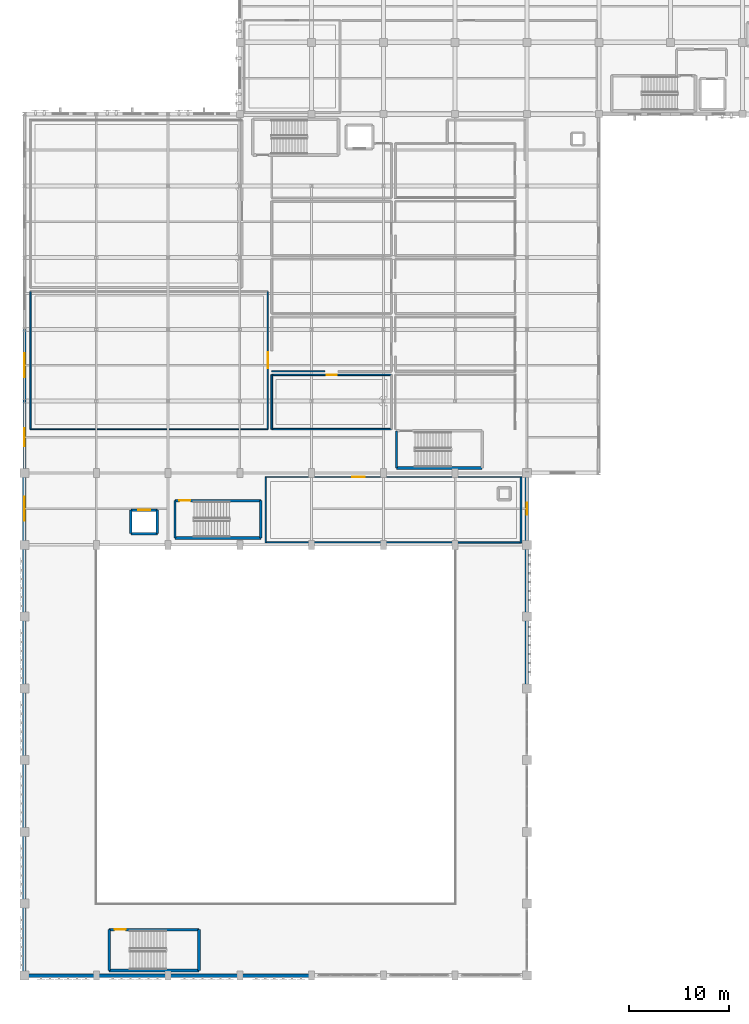
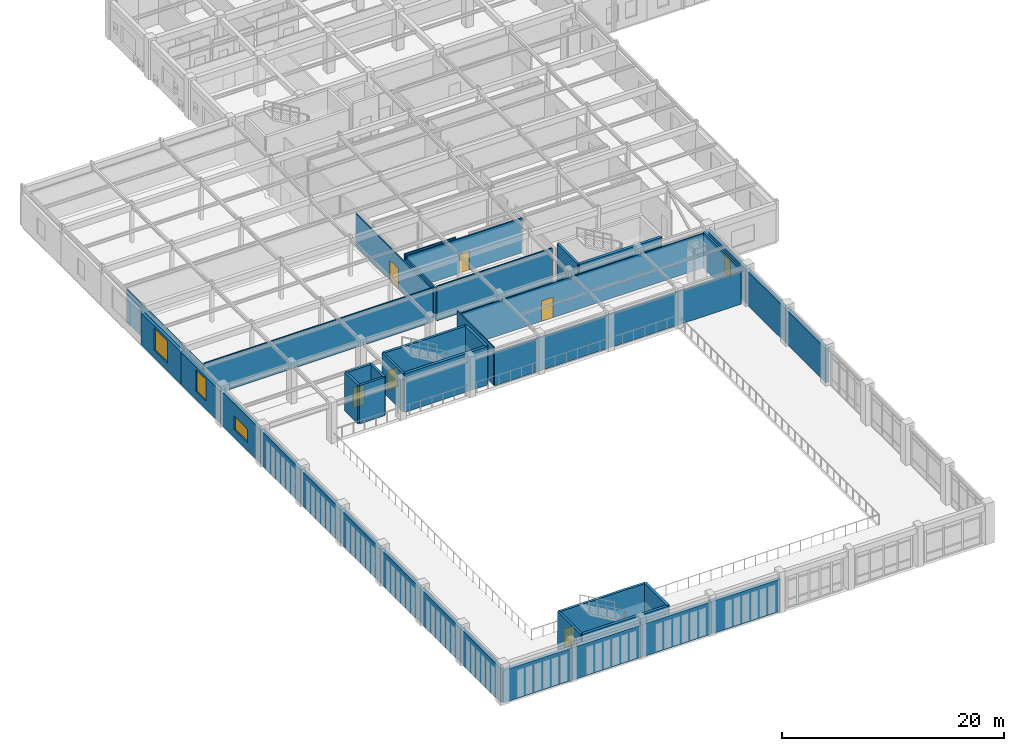
# One storey, part 73 of 106: 41 walls, 6 doors, 4 windows, 10 openings.
"""IFC4 building model written with IfcOpenShell, lengths in metres."""

from ifc_helpers import new_model, si_unit, direction, frame, frame_2d, origin, place, context, subcontext, project, spatial, rectangle, extrude, material, layer, layer_set, type_object, element, fill, save


model = new_model("IFC4")

# Units and contexts
model_context = context("Model", 3, precision=1e-05, world=origin(), true_north=direction((0.0, 1.0)))
body_context = subcontext(model_context, "Body", "Model", "MODEL_VIEW")
ifc_project = project(units=[si_unit("LENGTHUNIT", "METRE"), si_unit("AREAUNIT", "SQUARE_METRE"), si_unit("VOLUMEUNIT", "CUBIC_METRE"), si_unit("PLANEANGLEUNIT", "RADIAN"), si_unit("MASSUNIT", "GRAM", prefix="KILO")], contexts=[model_context])

# Site, building, storey
site_placement = place(None, origin())
site = spatial("IfcSite", under=ifc_project, at=site_placement, CompositionType="ELEMENT")
building_placement = place(site_placement, origin())
building = spatial("IfcBuilding", under=site, at=building_placement, Name="Carrowvane Square Congress Hotel", CompositionType="ELEMENT")
storey_placement = place(building_placement, frame((0.0, 0.0, 10.5)))
storey = spatial("IfcBuildingStorey", under=building, at=storey_placement, Name="L02", CompositionType="ELEMENT", Elevation=10.5)

# Walls
ifc_material_1 = material(Name="Portland limestone cladding", Category="masonry")
ifc_layer_1 = layer(ifc_material_1, 0.35009765625)
ifc_layer_set_1 = layer_set([ifc_layer_1], Name="Portland limestone cladding")
wall_type_1 = type_object("IfcWallType", Name="WL-EXT-LS350", PredefinedType="STANDARD", material=ifc_layer_set_1)
wall_1_placement = place(storey_placement, frame((11.60009765625, 5.39990234375, 0.0), z_axis=(0.0, 0.0, 1.0), x_axis=(0.0, 1.0, 0.0)))
element("IfcWall", 1, at=wall_1_placement, inside=storey, type_object=wall_type_1, Name="L02 exterior facade wall 260", PredefinedType="STANDARD", context=body_context, shape_type="SweptSolid", body=[
    extrude(rectangle(XDim=7.2001953125, YDim=0.35009765625, at=frame_2d((3.60009765625, 0.0))), origin(), (0.0, 0.0, 1.0), 3.7451171875),
])
for number, where, z_axis, x_axis, name in (
    (2, (11.60009765625, 12.60009765625, 0.0), (0.0, 0.0, 1.0), (0.0, 1.0, 0.0), "L02 exterior facade wall 261"),
    (3, (11.60009765625, 19.800048828125, 0.0), (0.0, 0.0, 1.0), (0.0, 1.0, 0.0), "L02 exterior facade wall 262"),
    (4, (11.60009765625, 27.0, 0.0), (0.0, 0.0, 1.0), (0.0, 1.0, 0.0), "L02 exterior facade wall 263"),
    (5, (11.60009765625, 34.199951171875, 0.0), (0.0, 0.0, 1.0), (0.0, 1.0, 0.0), "L02 exterior facade wall 264"),
):
    element("IfcWall", number, at=place(storey_placement, frame(where, z_axis=z_axis, x_axis=x_axis)), inside=storey, type_object=wall_type_1, Name=name, PredefinedType="STANDARD", context=body_context, shape_type="SweptSolid", body=[
        extrude(rectangle(XDim=7.199951171875, YDim=0.35009765625, at=frame_2d((3.60009765625, 0.0))), origin(), (0.0, 0.0, 1.0), 3.7451171875),
    ])
wall_2_placement = place(storey_placement, frame((11.60009765625, 41.39990234375, 0.0), z_axis=(0.0, 0.0, 1.0), x_axis=(0.0, 1.0, 0.0)))
element("IfcWall", 6, at=wall_2_placement, inside=storey, type_object=wall_type_1, Name="L02 exterior facade wall 265", PredefinedType="STANDARD", context=body_context, shape_type="SweptSolid", body=[
    extrude(rectangle(XDim=7.2001953125, YDim=0.35009765625, at=frame_2d((3.60009765625, 0.0))), origin(), (0.0, 0.0, 1.0), 3.7451171875),
])

# Wall, opening, window
wall_3_placement = place(storey_placement, frame((11.60009765625, 48.60009765625, 0.0), z_axis=(0.0, 0.0, 1.0), x_axis=(0.0, 1.0, 0.0)))
wall_3 = element("IfcWall", 7, at=wall_3_placement, inside=storey, type_object=wall_type_1, Name="L02 exterior facade wall 266", PredefinedType="STANDARD", context=body_context, shape_type="SweptSolid", body=[
    extrude(rectangle(XDim=7.199951171875, YDim=0.35009765625, at=frame_2d((3.60009765625, 0.0))), origin(), (0.0, 0.0, 1.0), 3.7451171875),
])
opening_1_placement = place(wall_3_placement, frame((2.39990234375, 0.0, 0.89990234375)))
opening_1 = element("IfcOpeningElement", 8, at=opening_1_placement, cuts=wall_3, Name="Opening W-17", PredefinedType="OPENING", context=body_context, shape_type="SweptSolid", body=[
    extrude(rectangle(XDim=2.39990234375, YDim=1.5, at=frame_2d((1.199951171875, 0.75))), frame((0.0, 0.18505859375, 0.0), z_axis=(0.0, -1.0, 0.0), x_axis=(1.0, 0.0, 0.0)), (0.0, 0.0, 1.0), 0.3701171875),
])
ifc_material_2 = material(Name="Double-glazed low-E glass", Category="glass")
window_type_1 = type_object("IfcWindowType", Name="WIN-17", PartitioningType="SINGLE_PANEL", PredefinedType="WINDOW", material=ifc_material_2)
window_1_placement = place(opening_1_placement, origin())
window_1 = element("IfcWindow", 9, at=window_1_placement, inside=storey, type_object=window_type_1, Name="L02 facade window 79", OverallHeight=1.5, OverallWidth=2.39990234375, PartitioningType="SINGLE_PANEL", PredefinedType="WINDOW", context=body_context, shape_type="SweptSolid", body=[
    extrude(rectangle(XDim=2.39990234375, YDim=1.5, at=frame_2d((1.199951171875, 0.75))), frame((0.0, 0.030029296875, 0.0), z_axis=(0.0, -1.0, 0.0), x_axis=(1.0, 0.0, 0.0)), (0.0, 0.0, 1.0), 0.06005859375),
])
fill(opening_1, window_1)

wall_4_placement = place(storey_placement, frame((62.0, 55.800048828125, 0.0), z_axis=(0.0, 0.0, 1.0), x_axis=(0.0, -1.0, 0.0)))
wall_4 = element("IfcWall", 10, at=wall_4_placement, inside=storey, type_object=wall_type_1, Name="L02 exterior facade wall 329", PredefinedType="STANDARD", context=body_context, shape_type="SweptSolid", body=[
    extrude(rectangle(XDim=7.199951171875, YDim=0.35009765625, at=frame_2d((3.60009765625, 0.0))), origin(), (0.0, 0.0, 1.0), 3.7451171875),
])
opening_2_placement = place(wall_4_placement, frame((3.0, 0.0, 0.89990234375)))
opening_2 = element("IfcOpeningElement", 11, at=opening_2_placement, cuts=wall_4, Name="Opening W-08", PredefinedType="OPENING", context=body_context, shape_type="SweptSolid", body=[
    extrude(rectangle(XDim=1.199951171875, YDim=2.10009765625, at=frame_2d((0.60009765625, 1.050048828125))), frame((0.0, 0.18505859375, 0.0), z_axis=(0.0, -1.0, 0.0), x_axis=(1.0, 0.0, 0.0)), (0.0, 0.0, 1.0), 0.3701171875),
])
ifc_material_3 = material(Name="Double-glazed low-E glass", Category="glass")
window_type_2 = type_object("IfcWindowType", Name="WIN-08", PartitioningType="SINGLE_PANEL", PredefinedType="WINDOW", material=ifc_material_3)
window_2_placement = place(opening_2_placement, origin())
window_2 = element("IfcWindow", 12, at=window_2_placement, inside=storey, type_object=window_type_2, Name="L02 facade window 156", OverallHeight=2.10009765625, OverallWidth=1.199951171875, PartitioningType="SINGLE_PANEL", PredefinedType="WINDOW", context=body_context, shape_type="SweptSolid", body=[
    extrude(rectangle(XDim=1.199951171875, YDim=2.10009765625, at=frame_2d((0.60009765625, 1.050048828125))), frame((0.0, 0.030029296875, 0.0), z_axis=(0.0, -1.0, 0.0), x_axis=(1.0, 0.0, 0.0)), (0.0, 0.0, 1.0), 0.06005859375),
])
fill(opening_2, window_2)

# Walls
wall_5_placement = place(storey_placement, frame((62.0, 48.60009765625, 0.0), z_axis=(0.0, 0.0, 1.0), x_axis=(0.0, -1.0, 0.0)))
element("IfcWall", 13, at=wall_5_placement, inside=storey, type_object=wall_type_1, Name="L02 exterior facade wall 330", PredefinedType="STANDARD", context=body_context, shape_type="SweptSolid", body=[
    extrude(rectangle(XDim=7.2001953125, YDim=0.35009765625, at=frame_2d((3.60009765625, 0.0))), origin(), (0.0, 0.0, 1.0), 3.7451171875),
])
wall_6_placement = place(storey_placement, frame((62.0, 41.39990234375, 0.0), z_axis=(0.0, 0.0, 1.0), x_axis=(0.0, -1.0, 0.0)))
element("IfcWall", 14, at=wall_6_placement, inside=storey, type_object=wall_type_1, Name="L02 exterior facade wall 331", PredefinedType="STANDARD", context=body_context, shape_type="SweptSolid", body=[
    extrude(rectangle(XDim=7.199951171875, YDim=0.35009765625, at=frame_2d((3.60009765625, 0.0))), origin(), (0.0, 0.0, 1.0), 3.7451171875),
])
for number, where, z_axis, x_axis, name in (
    (15, (40.39990234375, 5.39990234375, 0.0), (0.0, 0.0, 1.0), (-1.0, 0.0, 0.0), "L02 exterior facade wall 332"),
    (16, (33.199951171875, 5.39990234375, 0.0), (0.0, 0.0, 1.0), (-1.0, 0.0, 0.0), "L02 exterior facade wall 333"),
    (17, (26.0, 5.39990234375, 0.0), (0.0, 0.0, 1.0), (-1.0, 0.0, 0.0), "L02 exterior facade wall 334"),
    (18, (18.800048828125, 5.39990234375, 0.0), (0.0, 0.0, 1.0), (-1.0, 0.0, 0.0), "L02 exterior facade wall 335"),
):
    element("IfcWall", number, at=place(storey_placement, frame(where, z_axis=z_axis, x_axis=x_axis)), inside=storey, type_object=wall_type_1, Name=name, PredefinedType="STANDARD", context=body_context, shape_type="SweptSolid", body=[
        extrude(rectangle(XDim=7.199951171875, YDim=0.35009765625, at=frame_2d((3.60009765625, 0.0))), origin(), (0.0, 0.0, 1.0), 3.554931640625),
    ])

# Wall, opening, window
ifc_material_4 = material(Name="Standing-seam zinc cladding", Category="metal")
ifc_layer_2 = layer(ifc_material_4, 0.31005859375)
ifc_layer_set_2 = layer_set([ifc_layer_2], Name="Standing-seam zinc cladding")
wall_type_2 = type_object("IfcWallType", Name="WL-EXT-ZN310", PredefinedType="STANDARD", material=ifc_layer_set_2)
wall_7_placement = place(storey_placement, frame((11.60009765625, 55.800048828125, 0.0), z_axis=(0.0, 0.0, 1.0), x_axis=(0.0, 1.0, 0.0)))
wall_7 = element("IfcWall", 19, at=wall_7_placement, inside=storey, type_object=wall_type_2, Name="L02 exterior facade wall 267", PredefinedType="STANDARD", context=body_context, shape_type="SweptSolid", body=[
    extrude(rectangle(XDim=7.199951171875, YDim=0.31005859375, at=frame_2d((3.60009765625, 0.0))), origin(), (0.0, 0.0, 1.0), 3.554931640625),
])
opening_3_placement = place(wall_7_placement, frame((2.699951171875, 0.0, 0.89990234375)))
opening_3 = element("IfcOpeningElement", 20, at=opening_3_placement, cuts=wall_7, Name="Opening W-18", PredefinedType="OPENING", context=body_context, shape_type="SweptSolid", body=[
    extrude(rectangle(XDim=1.800048828125, YDim=2.39990234375, at=frame_2d((0.89990234375, 1.199951171875))), frame((0.0, 0.1650390625, 0.0), z_axis=(0.0, -1.0, 0.0), x_axis=(1.0, 0.0, 0.0)), (0.0, 0.0, 1.0), 0.330078125),
])
ifc_material_5 = material(Name="Double-glazed low-E glass", Category="glass")
window_type_3 = type_object("IfcWindowType", Name="WIN-18", PartitioningType="SINGLE_PANEL", PredefinedType="WINDOW", material=ifc_material_5)
window_3_placement = place(opening_3_placement, origin())
window_3 = element("IfcWindow", 21, at=window_3_placement, inside=storey, type_object=window_type_3, Name="L02 facade window 80", OverallHeight=2.39990234375, OverallWidth=1.800048828125, PartitioningType="SINGLE_PANEL", PredefinedType="WINDOW", context=body_context, shape_type="SweptSolid", body=[
    extrude(rectangle(XDim=1.800048828125, YDim=2.39990234375, at=frame_2d((0.89990234375, 1.199951171875))), frame((0.0, 0.030029296875, 0.0), z_axis=(0.0, -1.0, 0.0), x_axis=(1.0, 0.0, 0.0)), (0.0, 0.0, 1.0), 0.06005859375),
])
fill(opening_3, window_3)

wall_8_placement = place(storey_placement, frame((11.60009765625, 63.0, 0.0), z_axis=(0.0, 0.0, 1.0), x_axis=(0.0, 1.0, 0.0)))
wall_8 = element("IfcWall", 22, at=wall_8_placement, inside=storey, type_object=wall_type_2, Name="L02 exterior facade wall 268", PredefinedType="STANDARD", context=body_context, shape_type="SweptSolid", body=[
    extrude(rectangle(XDim=7.199951171875, YDim=0.31005859375, at=frame_2d((3.60009765625, 0.0))), origin(), (0.0, 0.0, 1.0), 3.554931640625),
])
opening_4_placement = place(wall_8_placement, frame((2.39990234375, 0.0, 0.89990234375)))
opening_4 = element("IfcOpeningElement", 23, at=opening_4_placement, cuts=wall_8, Name="Opening W-19", PredefinedType="OPENING", context=body_context, shape_type="SweptSolid", body=[
    extrude(rectangle(XDim=2.39990234375, YDim=2.39990234375, at=frame_2d((1.199951171875, 1.199951171875))), frame((0.0, 0.1650390625, 0.0), z_axis=(0.0, -1.0, 0.0), x_axis=(1.0, 0.0, 0.0)), (0.0, 0.0, 1.0), 0.330078125),
])
ifc_material_6 = material(Name="Double-glazed low-E glass", Category="glass")
window_type_4 = type_object("IfcWindowType", Name="WIN-19", PartitioningType="SINGLE_PANEL", PredefinedType="WINDOW", material=ifc_material_6)
window_4_placement = place(opening_4_placement, origin())
window_4 = element("IfcWindow", 24, at=window_4_placement, inside=storey, type_object=window_type_4, Name="L02 facade window 81", OverallHeight=2.39990234375, OverallWidth=2.39990234375, PartitioningType="SINGLE_PANEL", PredefinedType="WINDOW", context=body_context, shape_type="SweptSolid", body=[
    extrude(rectangle(XDim=2.39990234375, YDim=2.39990234375, at=frame_2d((1.199951171875, 1.199951171875))), frame((0.0, 0.030029296875, 0.0), z_axis=(0.0, -1.0, 0.0), x_axis=(1.0, 0.0, 0.0)), (0.0, 0.0, 1.0), 0.06005859375),
])
fill(opening_4, window_4)

# Walls
ifc_material_7 = material(Name="Acoustic gypsum board", Category="gypsum")
ifc_layer_3 = layer(ifc_material_7, 0.155029296875)
ifc_layer_set_3 = layer_set([ifc_layer_3], Name="Acoustic gypsum board")
wall_type_3 = type_object("IfcWallType", Name="WL-FIR-155", PredefinedType="PARTITIONING", material=ifc_layer_set_3)
wall_9_placement = place(storey_placement, frame((36.39990234375, 60.199951171875, 0.0), z_axis=(0.0, 0.0, 1.0), x_axis=(0.0, 1.0, 0.0)))
element("IfcWall", 25, at=wall_9_placement, inside=storey, type_object=wall_type_3, Name="L02 Holistic Spa Suite 201 partition", PredefinedType="PARTITIONING", context=body_context, shape_type="SweptSolid", body=[
    extrude(rectangle(XDim=5.449951171875, YDim=0.155029296875, at=frame_2d((2.72509765625, 0.0))), origin(), (0.0, 0.0, 1.0), 3.554931640625),
])
ifc_material_8 = material(Name="Acoustic gypsum board", Category="gypsum")
ifc_layer_4 = layer(ifc_material_8, 0.169921875)
ifc_layer_set_4 = layer_set([ifc_layer_4], Name="Acoustic gypsum board")
wall_type_4 = type_object("IfcWallType", Name="WL-FIR-170", PredefinedType="PARTITIONING", material=ifc_layer_set_4)
wall_10_placement = place(storey_placement, frame((61.39990234375, 48.800048828125, 0.0), z_axis=(0.0, 0.0, 1.0), x_axis=(-1.0, 0.0, 0.0)))
element("IfcWall", 26, at=wall_10_placement, inside=storey, type_object=wall_type_4, Name="L02 Plenary Acoustic and Lighting Gallery partition", PredefinedType="PARTITIONING", context=body_context, shape_type="SweptSolid", body=[
    extrude(rectangle(XDim=25.599853515625, YDim=0.169921875, at=frame_2d((12.7998046875, 0.0))), origin(), (0.0, 0.0, 1.0), 3.668212890625),
])
ifc_material_9 = material(Name="Acoustic gypsum board", Category="gypsum")
ifc_layer_5 = layer(ifc_material_9, 0.18505859375)
ifc_layer_set_5 = layer_set([ifc_layer_5], Name="Acoustic gypsum board")
wall_type_5 = type_object("IfcWallType", Name="WL-FIR-185", PredefinedType="PARTITIONING", material=ifc_layer_set_5)
wall_11_placement = place(storey_placement, frame((61.39990234375, 55.39990234375, 0.0), z_axis=(0.0, 0.0, 1.0), x_axis=(0.0, -1.0, 0.0)))
element("IfcWall", 27, at=wall_11_placement, inside=storey, type_object=wall_type_5, Name="L02 Plenary Acoustic and Lighting Gallery partition", PredefinedType="PARTITIONING", context=body_context, shape_type="SweptSolid", body=[
    extrude(rectangle(XDim=6.599853515625, YDim=0.18505859375, at=frame_2d((3.2998046875, 0.0))), origin(), (0.0, 0.0, 1.0), 3.8984375),
])

# Wall, opening, door
ifc_material_10 = material(Name="Acoustic gypsum board", Category="gypsum")
ifc_layer_6 = layer(ifc_material_10, 0.097900390625)
ifc_layer_set_6 = layer_set([ifc_layer_6], Name="Acoustic gypsum board")
wall_type_6 = type_object("IfcWallType", Name="WL-PRT-098", PredefinedType="PARTITIONING", material=ifc_layer_set_6)
wall_12_placement = place(storey_placement, frame((35.800048828125, 55.39990234375, 0.0), z_axis=(0.0, 0.0, 1.0), x_axis=(1.0, 0.0, 0.0)))
wall_12 = element("IfcWall", 28, at=wall_12_placement, inside=storey, type_object=wall_type_6, Name="L02 Plenary Acoustic and Lighting Gallery partition", PredefinedType="PARTITIONING", context=body_context, shape_type="SweptSolid", body=[
    extrude(rectangle(XDim=25.599853515625, YDim=0.097900390625, at=frame_2d((12.7998046875, 0.0))), origin(), (0.0, 0.0, 1.0), 3.795654296875),
])
opening_5_placement = place(wall_12_placement, frame((8.68994140625, 0.0, 0.0)))
opening_5 = element("IfcOpeningElement", 29, at=opening_5_placement, cuts=wall_12, Name="Opening ID-24", PredefinedType="OPENING", context=body_context, shape_type="SweptSolid", body=[
    extrude(rectangle(XDim=1.219970703125, YDim=2.239990234375, at=frame_2d((0.60986328125, 1.1201171875))), frame((0.0, 0.058837890625, 0.0), z_axis=(0.0, -1.0, 0.0), x_axis=(1.0, 0.0, 0.0)), (0.0, 0.0, 1.0), 0.117919921875),
])
ifc_material_11 = material(Name="European oak timber", Category="wood")
door_type_1 = type_object("IfcDoorType", Name="DR-INT-1220x2240", OperationType="NOTDEFINED", PredefinedType="DOOR", material=ifc_material_11)
door_1_placement = place(opening_5_placement, origin())
door_1 = element("IfcDoor", 30, at=door_1_placement, inside=storey, type_object=door_type_1, Name="L02 Plenary Acoustic and Lighting Gallery entrance door", OperationType="SINGLE_SWING_LEFT", OverallHeight=2.239990234375, OverallWidth=1.219970703125, PredefinedType="DOOR", context=body_context, shape_type="SweptSolid", body=[
    extrude(rectangle(XDim=1.219970703125, YDim=2.239990234375, at=frame_2d((0.60986328125, 1.1201171875))), frame((0.0, 0.02490234375, 0.0), z_axis=(0.0, -1.0, 0.0), x_axis=(1.0, 0.0, 0.0)), (0.0, 0.0, 1.0), 0.050048828125),
])
fill(opening_5, door_1)

# Walls
ifc_material_12 = material(Name="Acoustic gypsum board", Category="gypsum")
ifc_layer_7 = layer(ifc_material_12, 0.10791015625)
ifc_layer_set_7 = layer_set([ifc_layer_7], Name="Acoustic gypsum board")
wall_type_7 = type_object("IfcWallType", Name="WL-PRT-108", PredefinedType="PARTITIONING", material=ifc_layer_set_7)
wall_13_placement = place(storey_placement, frame((35.800048828125, 48.800048828125, 0.0), z_axis=(0.0, 0.0, 1.0), x_axis=(0.0, 1.0, 0.0)))
element("IfcWall", 31, at=wall_13_placement, inside=storey, type_object=wall_type_7, Name="L02 Plenary Acoustic and Lighting Gallery partition", PredefinedType="PARTITIONING", context=body_context, shape_type="SweptSolid", body=[
    extrude(rectangle(XDim=6.599853515625, YDim=0.10791015625, at=frame_2d((3.2998046875, 0.0))), origin(), (0.0, 0.0, 1.0), 4.219970703125),
])
ifc_material_13 = material(Name="Acoustic gypsum board", Category="gypsum")
ifc_layer_8 = layer(ifc_material_13, 0.117919921875)
ifc_layer_set_8 = layer_set([ifc_layer_8], Name="Acoustic gypsum board")
wall_type_8 = type_object("IfcWallType", Name="WL-PRT-118", PredefinedType="PARTITIONING", material=ifc_layer_set_8)
wall_14_placement = place(storey_placement, frame((36.0, 60.199951171875, 0.0), z_axis=(0.0, 0.0, 1.0), x_axis=(-1.0, 0.0, 0.0)))
element("IfcWall", 32, at=wall_14_placement, inside=storey, type_object=wall_type_8, Name="L02 Hotel Fitness and Cardio Gymnasium partition", PredefinedType="PARTITIONING", context=body_context, shape_type="SweptSolid", body=[
    extrude(rectangle(XDim=23.800048828125, YDim=0.117919921875, at=frame_2d((11.89990234375, 0.0))), origin(), (0.0, 0.0, 1.0), 3.795654296875),
])

# Wall, opening, door
ifc_material_14 = material(Name="Acoustic gypsum board", Category="gypsum")
ifc_layer_9 = layer(ifc_material_14, 0.1279296875)
ifc_layer_set_9 = layer_set([ifc_layer_9], Name="Acoustic gypsum board")
wall_type_9 = type_object("IfcWallType", Name="WL-PRT-128", PredefinedType="PARTITIONING", material=ifc_layer_set_9)
wall_15_placement = place(storey_placement, frame((36.0, 74.0, 0.0), z_axis=(0.0, 0.0, 1.0), x_axis=(0.0, -1.0, 0.0)))
wall_15 = element("IfcWall", 33, at=wall_15_placement, inside=storey, type_object=wall_type_9, Name="L02 Hotel Fitness and Cardio Gymnasium partition", PredefinedType="PARTITIONING", context=body_context, shape_type="SweptSolid", body=[
    extrude(rectangle(XDim=13.800048828125, YDim=0.1279296875, at=frame_2d((6.89990234375, 0.0))), origin(), (0.0, 0.0, 1.0), 3.554931640625),
])
opening_6_placement = place(wall_15_placement, frame((6.10009765625, 0.0, 0.0)))
opening_6 = element("IfcOpeningElement", 34, at=opening_6_placement, cuts=wall_15, Name="Opening FD-04", PredefinedType="OPENING", context=body_context, shape_type="SweptSolid", body=[
    extrude(rectangle(XDim=1.60009765625, YDim=2.14990234375, at=frame_2d((0.800048828125, 1.074951171875))), frame((0.0, 0.073974609375, 0.0), z_axis=(0.0, -1.0, 0.0), x_axis=(1.0, 0.0, 0.0)), (0.0, 0.0, 1.0), 0.14794921875),
])
ifc_material_15 = material(Name="European oak timber", Category="wood")
door_type_2 = type_object("IfcDoorType", Name="DR-FD60-1600x2150", OperationType="DOUBLE_DOOR_SINGLE_SWING", PredefinedType="DOOR", material=ifc_material_15)
door_2_placement = place(opening_6_placement, origin())
door_2 = element("IfcDoor", 35, at=door_2_placement, inside=storey, type_object=door_type_2, Name="L02 Hotel Fitness and Cardio Gymnasium entrance door", OperationType="DOUBLE_DOOR_SINGLE_SWING", OverallHeight=2.14990234375, OverallWidth=1.60009765625, PredefinedType="DOOR", context=body_context, shape_type="SweptSolid", body=[
    extrude(rectangle(XDim=1.60009765625, YDim=2.14990234375, at=frame_2d((0.800048828125, 1.074951171875))), frame((0.0, 0.02490234375, 0.0), z_axis=(0.0, -1.0, 0.0), x_axis=(1.0, 0.0, 0.0)), (0.0, 0.0, 1.0), 0.050048828125),
])
fill(opening_6, door_2)

# Walls
wall_16_placement = place(storey_placement, frame((48.39990234375, 60.199951171875, 0.0), z_axis=(0.0, 0.0, 1.0), x_axis=(-1.0, 0.0, 0.0)))
element("IfcWall", 36, at=wall_16_placement, inside=storey, type_object=wall_type_9, Name="L02 Holistic Spa Suite 201 partition", PredefinedType="PARTITIONING", context=body_context, shape_type="SweptSolid", body=[
    extrude(rectangle(XDim=12.0, YDim=0.1279296875, at=frame_2d((6.0, 0.0))), origin(), (0.0, 0.0, 1.0), 3.795654296875),
])
ifc_material_16 = material(Name="Acoustic gypsum board", Category="gypsum")
ifc_layer_10 = layer(ifc_material_16, 0.137939453125)
ifc_layer_set_10 = layer_set([ifc_layer_10], Name="Acoustic gypsum board")
wall_type_10 = type_object("IfcWallType", Name="WL-PRT-138", PredefinedType="PARTITIONING", material=ifc_layer_set_10)
wall_17_placement = place(storey_placement, frame((41.719970703125, 66.0, 0.0), z_axis=(0.0, 0.0, 1.0), x_axis=(-1.0, 0.0, 0.0)))
element("IfcWall", 37, at=wall_17_placement, inside=storey, type_object=wall_type_10, Name="L02 Holistic Spa Suite 203 partition", PredefinedType="PARTITIONING", context=body_context, shape_type="SweptSolid", body=[
    extrude(rectangle(XDim=5.320068359375, YDim=0.137939453125, at=frame_2d((2.66015625, 0.0))), origin(), (0.0, 0.0, 1.0), 3.795654296875),
])
ifc_material_17 = material(Name="Acoustic gypsum board", Category="gypsum")
ifc_layer_11 = layer(ifc_material_17, 0.14794921875)
ifc_layer_set_11 = layer_set([ifc_layer_11], Name="Acoustic gypsum board")
wall_type_11 = type_object("IfcWallType", Name="WL-PRT-148", PredefinedType="PARTITIONING", material=ifc_layer_set_11)
wall_18_placement = place(storey_placement, frame((12.199951171875, 60.199951171875, 0.0), z_axis=(0.0, 0.0, 1.0), x_axis=(0.0, 1.0, 0.0)))
element("IfcWall", 38, at=wall_18_placement, inside=storey, type_object=wall_type_11, Name="L02 Hotel Fitness and Cardio Gymnasium partition", PredefinedType="PARTITIONING", context=body_context, shape_type="SweptSolid", body=[
    extrude(rectangle(XDim=13.800048828125, YDim=0.14794921875, at=frame_2d((6.89990234375, 0.0))), origin(), (0.0, 0.0, 1.0), 3.554931640625),
])

# Wall, opening, door
wall_19_placement = place(storey_placement, frame((36.39990234375, 65.64990234375, 0.0), z_axis=(0.0, 0.0, 1.0), x_axis=(1.0, 0.0, 0.0)))
wall_19 = element("IfcWall", 39, at=wall_19_placement, inside=storey, type_object=wall_type_11, Name="L02 Holistic Spa Suite 201 partition", PredefinedType="PARTITIONING", context=body_context, shape_type="SweptSolid", body=[
    extrude(rectangle(XDim=12.0, YDim=0.14794921875, at=frame_2d((6.0, 0.0))), origin(), (0.0, 0.0, 1.0), 3.795654296875),
])
opening_7_placement = place(wall_19_placement, frame((5.5, 0.0, 0.0)))
opening_7 = element("IfcOpeningElement", 40, at=opening_7_placement, cuts=wall_19, Name="Opening ID-06", PredefinedType="OPENING", context=body_context, shape_type="SweptSolid", body=[
    extrude(rectangle(XDim=1.0, YDim=2.10009765625, at=frame_2d((0.5, 1.050048828125))), frame((0.0, 0.083984375, 0.0), z_axis=(0.0, -1.0, 0.0), x_axis=(1.0, 0.0, 0.0)), (0.0, 0.0, 1.0), 0.16796875),
])
ifc_material_18 = material(Name="European oak timber", Category="wood")
door_type_3 = type_object("IfcDoorType", Name="DR-INT-1000x2100", OperationType="NOTDEFINED", PredefinedType="DOOR", material=ifc_material_18)
door_3_placement = place(opening_7_placement, origin())
door_3 = element("IfcDoor", 41, at=door_3_placement, inside=storey, type_object=door_type_3, Name="L02 Holistic Spa Suite 201 entrance door", OperationType="SINGLE_SWING_LEFT", OverallHeight=2.10009765625, OverallWidth=1.0, PredefinedType="DOOR", context=body_context, shape_type="SweptSolid", body=[
    extrude(rectangle(XDim=1.0, YDim=2.10009765625, at=frame_2d((0.5, 1.050048828125))), frame((0.0, 0.02490234375, 0.0), z_axis=(0.0, -1.0, 0.0), x_axis=(1.0, 0.0, 0.0)), (0.0, 0.0, 1.0), 0.050048828125),
])
fill(opening_7, door_3)

# Walls
ifc_material_19 = material(Name="Concrete C40/50", Category="concrete")
ifc_layer_12 = layer(ifc_material_19, 0.22509765625)
ifc_layer_set_12 = layer_set([ifc_layer_12], Name="Concrete C40/50")
wall_type_12 = type_object("IfcWallType", Name="WL-SHR-225", PredefinedType="SHEAR", material=ifc_layer_set_12)
for number, where, z_axis, x_axis, name in (
    (42, (26.699951171875, 53.02001953125, 0.0), (0.0, 0.0, 1.0), (0.0, -1.0, 0.0), "L02 ST6 core wall west"),
    (43, (48.89990234375, 60.02001953125, 0.0), (0.0, 0.0, 1.0), (0.0, -1.0, 0.0), "L02 ST7 core wall west"),
):
    element("IfcWall", number, at=place(storey_placement, frame(where, z_axis=z_axis, x_axis=x_axis)), inside=storey, type_object=wall_type_12, Name=name, PredefinedType="SHEAR", context=body_context, shape_type="SweptSolid", body=[
        extrude(rectangle(XDim=3.719970703125, YDim=0.22509765625, at=frame_2d((1.85986328125, 0.0))), origin(), (0.0, 0.0, 1.0), 4.219970703125),
    ])
wall_20_placement = place(storey_placement, frame((20.10009765625, 10.0, 0.0), z_axis=(0.0, 0.0, 1.0), x_axis=(0.0, -1.0, 0.0)))
element("IfcWall", 44, at=wall_20_placement, inside=storey, type_object=wall_type_12, Name="L02 ST9 core wall west", PredefinedType="SHEAR", context=body_context, shape_type="SweptSolid", body=[
    extrude(rectangle(XDim=4.10009765625, YDim=0.22509765625, at=frame_2d((2.050048828125, 0.0))), origin(), (0.0, 0.0, 1.0), 4.219970703125),
])

# Wall, opening, door
ifc_material_20 = material(Name="Concrete C40/50", Category="concrete")
ifc_layer_13 = layer(ifc_material_20, 0.25)
ifc_layer_set_13 = layer_set([ifc_layer_13], Name="Concrete C40/50")
wall_type_13 = type_object("IfcWallType", Name="WL-SHR-250", PredefinedType="SHEAR", material=ifc_layer_set_13)
wall_21_placement = place(storey_placement, frame((35.300048828125, 53.02001953125, 0.0), z_axis=(0.0, 0.0, 1.0), x_axis=(-1.0, 0.0, 0.0)))
wall_21 = element("IfcWall", 45, at=wall_21_placement, inside=storey, type_object=wall_type_13, Name="L02 ST6 core wall north", PredefinedType="SHEAR", context=body_context, shape_type="SweptSolid", body=[
    extrude(rectangle(XDim=8.60009765625, YDim=0.25, at=frame_2d((4.300048828125, 0.0))), origin(), (0.0, 0.0, 1.0), 4.219970703125),
])
opening_8_placement = place(wall_21_placement, frame((7.06005859375, 0.0, 0.0)))
opening_8 = element("IfcOpeningElement", 46, at=opening_8_placement, cuts=wall_21, Name="Opening FD-01", PredefinedType="OPENING", context=body_context, shape_type="SweptSolid", body=[
    extrude(rectangle(XDim=1.10009765625, YDim=2.10009765625, at=frame_2d((0.550048828125, 1.050048828125))), frame((0.0, 0.135009765625, 0.0), z_axis=(0.0, -1.0, 0.0), x_axis=(1.0, 0.0, 0.0)), (0.0, 0.0, 1.0), 0.27001953125),
])
ifc_material_21 = material(Name="European oak timber", Category="wood")
door_type_4 = type_object("IfcDoorType", Name="DR-FD60-1100x2100", OperationType="NOTDEFINED", PredefinedType="DOOR", material=ifc_material_21)
door_4_placement = place(opening_8_placement, origin())
door_4 = element("IfcDoor", 47, at=door_4_placement, inside=storey, type_object=door_type_4, Name="L02 ST6 fire door", OperationType="SINGLE_SWING_LEFT", OverallHeight=2.10009765625, OverallWidth=1.10009765625, PredefinedType="DOOR", context=body_context, shape_type="SweptSolid", body=[
    extrude(rectangle(XDim=1.10009765625, YDim=2.10009765625, at=frame_2d((0.550048828125, 1.050048828125))), frame((0.0, 0.02490234375, 0.0), z_axis=(0.0, -1.0, 0.0), x_axis=(1.0, 0.0, 0.0)), (0.0, 0.0, 1.0), 0.050048828125),
])
fill(opening_8, door_4)

wall_22_placement = place(storey_placement, frame((29.10009765625, 10.0, 0.0), z_axis=(0.0, 0.0, 1.0), x_axis=(-1.0, 0.0, 0.0)))
wall_22 = element("IfcWall", 48, at=wall_22_placement, inside=storey, type_object=wall_type_13, Name="L02 ST9 core wall north", PredefinedType="SHEAR", context=body_context, shape_type="SweptSolid", body=[
    extrude(rectangle(XDim=9.0, YDim=0.25, at=frame_2d((4.5, 0.0))), origin(), (0.0, 0.0, 1.0), 4.219970703125),
])
opening_9_placement = place(wall_22_placement, frame((7.35009765625, 0.0, 0.0)))
opening_9 = element("IfcOpeningElement", 49, at=opening_9_placement, cuts=wall_22, Name="Opening FD-01", PredefinedType="OPENING", context=body_context, shape_type="SweptSolid", body=[
    extrude(rectangle(XDim=1.10009765625, YDim=2.10009765625, at=frame_2d((0.550048828125, 1.050048828125))), frame((0.0, 0.135009765625, 0.0), z_axis=(0.0, -1.0, 0.0), x_axis=(1.0, 0.0, 0.0)), (0.0, 0.0, 1.0), 0.27001953125),
])
door_5_placement = place(opening_9_placement, origin())
door_5 = element("IfcDoor", 50, at=door_5_placement, inside=storey, type_object=door_type_4, Name="L02 ST9 fire door", OperationType="SINGLE_SWING_RIGHT", OverallHeight=2.10009765625, OverallWidth=1.10009765625, PredefinedType="DOOR", context=body_context, shape_type="SweptSolid", body=[
    extrude(rectangle(XDim=1.10009765625, YDim=2.10009765625, at=frame_2d((0.550048828125, 1.050048828125))), frame((0.0, 0.02490234375, 0.0), z_axis=(0.0, -1.0, 0.0), x_axis=(1.0, 0.0, 0.0)), (0.0, 0.0, 1.0), 0.050048828125),
])
fill(opening_9, door_5)

# Walls
wall_23_placement = place(storey_placement, frame((22.27490234375, 49.72509765625, 0.0), z_axis=(0.0, 0.0, 1.0), x_axis=(1.0, 0.0, 0.0)))
element("IfcWall", 51, at=wall_23_placement, inside=storey, type_object=wall_type_13, Name="L02 CL-1 shaft wall south", PredefinedType="SHEAR", context=body_context, shape_type="SweptSolid", body=[
    extrude(rectangle(XDim=2.650146484375, YDim=0.25, at=frame_2d((1.3251953125, 0.0))), origin(), (0.0, 0.0, 1.0), 4.219970703125),
])
wall_24_placement = place(storey_placement, frame((24.925048828125, 49.72509765625, 0.0), z_axis=(0.0, 0.0, 1.0), x_axis=(0.0, 1.0, 0.0)))
element("IfcWall", 52, at=wall_24_placement, inside=storey, type_object=wall_type_13, Name="L02 CL-1 shaft wall east", PredefinedType="SHEAR", context=body_context, shape_type="SweptSolid", body=[
    extrude(rectangle(XDim=2.349853515625, YDim=0.25, at=frame_2d((1.1748046875, 0.0))), origin(), (0.0, 0.0, 1.0), 4.219970703125),
])

# Wall, opening, door
wall_25_placement = place(storey_placement, frame((24.925048828125, 52.074951171875, 0.0), z_axis=(0.0, 0.0, 1.0), x_axis=(-1.0, 0.0, 0.0)))
wall_25 = element("IfcWall", 53, at=wall_25_placement, inside=storey, type_object=wall_type_13, Name="L02 CL-1 shaft wall north", PredefinedType="SHEAR", context=body_context, shape_type="SweptSolid", body=[
    extrude(rectangle(XDim=2.650146484375, YDim=0.25, at=frame_2d((1.3251953125, 0.0))), origin(), (0.0, 0.0, 1.0), 4.219970703125),
])
opening_10_placement = place(wall_25_placement, frame((0.72509765625, 0.0, 0.0)))
opening_10 = element("IfcOpeningElement", 54, at=opening_10_placement, cuts=wall_25, Name="Opening LD-CL-1", PredefinedType="OPENING", context=body_context, shape_type="SweptSolid", body=[
    extrude(rectangle(XDim=1.199951171875, YDim=2.199951171875, at=frame_2d((0.60009765625, 1.10009765625))), frame((0.0, 0.135009765625, 0.0), z_axis=(0.0, -1.0, 0.0), x_axis=(1.0, 0.0, 0.0)), (0.0, 0.0, 1.0), 0.27001953125),
])
ifc_material_22 = material(Name="Stainless steel 316", Category="steel")
door_type_5 = type_object("IfcDoorType", Name="DR-LD-1200x2200", OperationType="DOUBLE_DOOR_SLIDING", PredefinedType="DOOR", material=ifc_material_22)
door_6_placement = place(opening_10_placement, origin())
door_6 = element("IfcDoor", 55, at=door_6_placement, inside=storey, type_object=door_type_5, Name="L02 CL-1 sliding lift landing door", OperationType="DOUBLE_DOOR_SLIDING", OverallHeight=2.199951171875, OverallWidth=1.199951171875, PredefinedType="DOOR", context=body_context, shape_type="SweptSolid", body=[
    extrude(rectangle(XDim=1.199951171875, YDim=2.199951171875, at=frame_2d((0.60009765625, 1.10009765625))), frame((0.0, 0.02490234375, 0.0), z_axis=(0.0, -1.0, 0.0), x_axis=(1.0, 0.0, 0.0)), (0.0, 0.0, 1.0), 0.050048828125),
])
fill(opening_10, door_6)

# Walls
wall_26_placement = place(storey_placement, frame((22.27490234375, 52.074951171875, 0.0), z_axis=(0.0, 0.0, 1.0), x_axis=(0.0, -1.0, 0.0)))
element("IfcWall", 56, at=wall_26_placement, inside=storey, type_object=wall_type_13, Name="L02 CL-1 shaft wall west", PredefinedType="SHEAR", context=body_context, shape_type="SweptSolid", body=[
    extrude(rectangle(XDim=2.349853515625, YDim=0.25, at=frame_2d((1.1748046875, 0.0))), origin(), (0.0, 0.0, 1.0), 4.219970703125),
])
ifc_material_23 = material(Name="Concrete C40/50", Category="concrete")
ifc_layer_14 = layer(ifc_material_23, 0.27490234375)
ifc_layer_set_14 = layer_set([ifc_layer_14], Name="Concrete C40/50")
wall_type_14 = type_object("IfcWallType", Name="WL-SHR-275", PredefinedType="SHEAR", material=ifc_layer_set_14)
wall_27_placement = place(storey_placement, frame((35.300048828125, 49.300048828125, 0.0), z_axis=(0.0, 0.0, 1.0), x_axis=(0.0, 1.0, 0.0)))
element("IfcWall", 57, at=wall_27_placement, inside=storey, type_object=wall_type_14, Name="L02 ST6 core wall east", PredefinedType="SHEAR", context=body_context, shape_type="SweptSolid", body=[
    extrude(rectangle(XDim=3.719970703125, YDim=0.27490234375, at=frame_2d((1.85986328125, 0.0))), origin(), (0.0, 0.0, 1.0), 4.219970703125),
])
wall_28_placement = place(storey_placement, frame((29.10009765625, 5.89990234375, 0.0), z_axis=(0.0, 0.0, 1.0), x_axis=(0.0, 1.0, 0.0)))
element("IfcWall", 58, at=wall_28_placement, inside=storey, type_object=wall_type_14, Name="L02 ST9 core wall east", PredefinedType="SHEAR", context=body_context, shape_type="SweptSolid", body=[
    extrude(rectangle(XDim=4.10009765625, YDim=0.27490234375, at=frame_2d((2.050048828125, 0.0))), origin(), (0.0, 0.0, 1.0), 4.219970703125),
])
ifc_material_24 = material(Name="Concrete C40/50", Category="concrete")
ifc_layer_15 = layer(ifc_material_24, 0.300048828125)
ifc_layer_set_15 = layer_set([ifc_layer_15], Name="Concrete C40/50")
wall_type_15 = type_object("IfcWallType", Name="WL-SHR-300", PredefinedType="SHEAR", material=ifc_layer_set_15)
for number, where, z_axis, x_axis, name in (
    (59, (26.699951171875, 49.300048828125, 0.0), (0.0, 0.0, 1.0), (1.0, 0.0, 0.0), "L02 ST6 core wall south"),
    (60, (48.89990234375, 56.300048828125, 0.0), (0.0, 0.0, 1.0), (1.0, 0.0, 0.0), "L02 ST7 core wall south"),
):
    element("IfcWall", number, at=place(storey_placement, frame(where, z_axis=z_axis, x_axis=x_axis)), inside=storey, type_object=wall_type_15, Name=name, PredefinedType="SHEAR", context=body_context, shape_type="SweptSolid", body=[
        extrude(rectangle(XDim=8.60009765625, YDim=0.300048828125, at=frame_2d((4.300048828125, 0.0))), origin(), (0.0, 0.0, 1.0), 4.219970703125),
    ])
wall_29_placement = place(storey_placement, frame((20.10009765625, 5.89990234375, 0.0), z_axis=(0.0, 0.0, 1.0), x_axis=(1.0, 0.0, 0.0)))
element("IfcWall", 61, at=wall_29_placement, inside=storey, type_object=wall_type_15, Name="L02 ST9 core wall south", PredefinedType="SHEAR", context=body_context, shape_type="SweptSolid", body=[
    extrude(rectangle(XDim=9.0, YDim=0.300048828125, at=frame_2d((4.5, 0.0))), origin(), (0.0, 0.0, 1.0), 4.219970703125),
])

save(model, "model.ifc")
